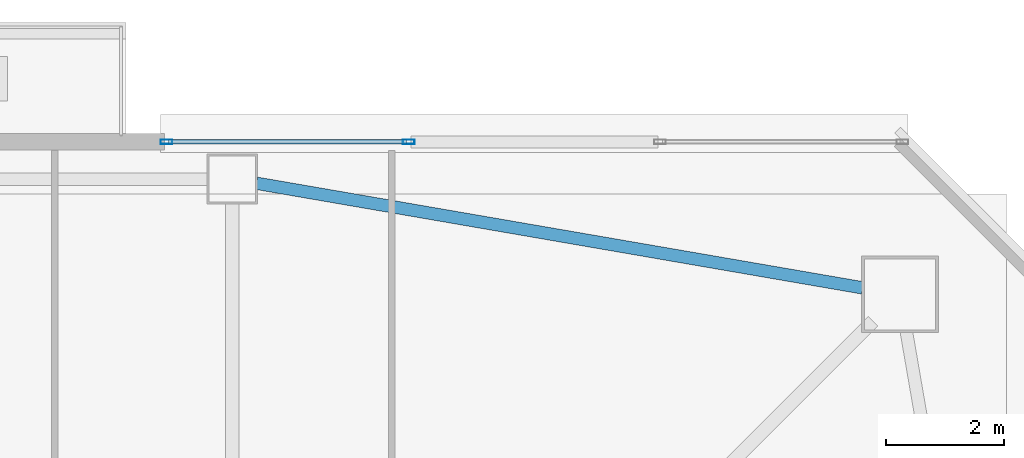
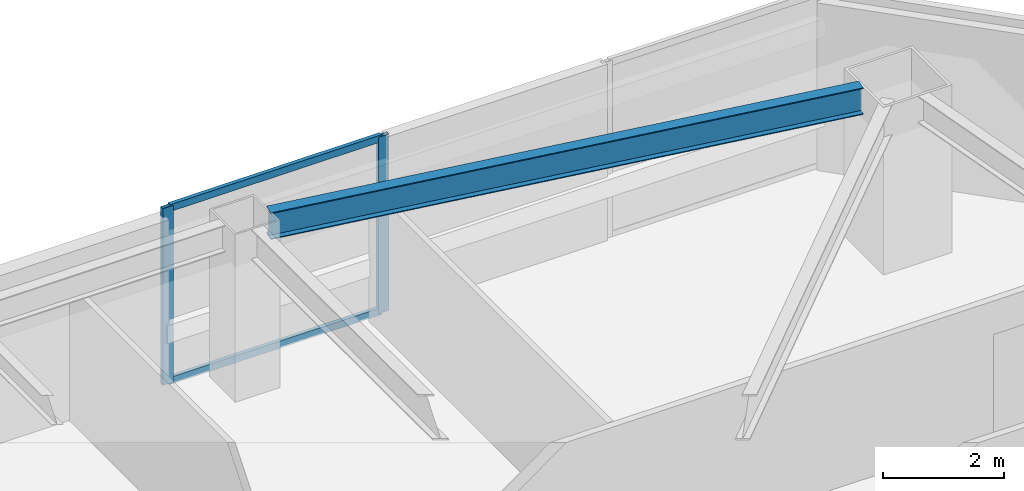
# One storey, part 17 of 46: 4 members, 1 beam, 1 element without a shape of its own.
"""IFC4 building model written with IfcOpenShell, lengths in metres."""

from ifc_helpers import new_model, si_unit, direction, frame, origin, origin_2d, place, context, subcontext, project, spatial, hollow_rectangle, i_section, extrude, material, material_profile, profile_set, type_object, element, aggregate, save


model = new_model("IFC4")

# Units and contexts
model_context = context("Model", 3, precision=1e-05, world=origin(), true_north=direction((0.0, 1.0)))
body_context = subcontext(model_context, "Body", "Model", "MODEL_VIEW")
ifc_project = project(units=[si_unit("LENGTHUNIT", "METRE"), si_unit("AREAUNIT", "SQUARE_METRE"), si_unit("VOLUMEUNIT", "CUBIC_METRE"), si_unit("PLANEANGLEUNIT", "RADIAN"), si_unit("MASSUNIT", "GRAM", prefix="KILO")], contexts=[model_context])

# Site, building, storey
site_placement = place(None, origin())
site = spatial("IfcSite", under=ifc_project, at=site_placement, CompositionType="ELEMENT")
building_placement = place(site_placement, origin())
building = spatial("IfcBuilding", under=site, at=building_placement, Name="Tashvorn Skyway Center", CompositionType="ELEMENT")
storey_placement = place(building_placement, frame((0.0, 0.0, 139.25)))
storey = spatial("IfcBuildingStorey", under=building, at=storey_placement, Name="L37", CompositionType="ELEMENT", Elevation=139.25)

# Beam
ifc_material_1 = material(Name="Steel ASTM A992 Grade 50", Category="steel")
ifc_material_profile_1 = material_profile(ifc_material_1, i_section(OverallWidth=0.2109375, OverallDepth=0.5390625, WebThickness=0.01171875, FlangeThickness=0.018798828125, at=origin_2d()), Name="W21X73")
ifc_profile_set_1 = profile_set([ifc_material_profile_1], Name="Steel ASTM A992 Grade 50")
beam_type = type_object("IfcBeamType", Name="BM-SPANDREL-W21X73", PredefinedType="SPANDREL", material=ifc_profile_set_1)
beam_placement = place(storey_placement, frame((58.064453125, 48.8095703125, 3.1005859375), z_axis=(-0.985432458462, 0.170067250846, 0.0), x_axis=(-0.170067250846, -0.985432458462, 0.0)))
element("IfcBeam", 1, at=beam_placement, inside=storey, type_object=beam_type, Name="Tower 1 L37 Spandrel Beam 07", PredefinedType="SPANDREL", context=body_context, shape_type="SweptSolid", body=[
    extrude(i_section(OverallWidth=0.2109375, OverallDepth=0.5390625, WebThickness=0.01171875, FlangeThickness=0.018798828125, at=origin_2d()), origin(), (0.0, 0.0, 1.0), 10.402099609375),
])

# Curtain wall, members
ifc_material_2 = material(Name="Thermally broken bronze-anodized aluminium 6063-T6", Category="aluminium")
curtain_wall_type = type_object("IfcCurtainWallType", Name="CW-CW-Z3", PredefinedType="NOTDEFINED", material=ifc_material_2)
curtain_wall_placement = place(storey_placement, origin())
curtain_wall = element("IfcCurtainWall", 2, at=curtain_wall_placement, inside=storey, type_object=curtain_wall_type, Name="Tower 1 L37 North Curtain Wall R Glazing Group 1", PredefinedType="NOTDEFINED")
ifc_material_profile_2 = material_profile(ifc_material_2, hollow_rectangle(XDim=0.074951171875, YDim=0.199951171875, WallThickness=0.00439453125, at=origin_2d()), Name="ALU-MULL-75x200")
ifc_profile_set_2 = profile_set([ifc_material_profile_2], Name="Thermally broken bronze-anodized aluminium 6063-T6")
member_type_1 = type_object("IfcMemberType", Name="CWM-CW-Z3", PredefinedType="MULLION", material=ifc_profile_set_2)
member_1_placement = place(storey_placement, frame((46.28759765625, 51.280029296875, 0.0), z_axis=(0.0, 0.0, 1.0), x_axis=(0.0, 1.0, 0.0)))
member_1 = element("IfcMember", 3, at=member_1_placement, type_object=member_type_1, Name="CW-Z3 mullion 1", PredefinedType="MULLION", context=body_context, shape_type="SweptSolid", body=[
    extrude(hollow_rectangle(XDim=0.074951171875, YDim=0.199951171875, WallThickness=0.00439453125, at=origin_2d()), origin(), (0.0, 0.0, 1.0), 3.550048828125),
])
member_2_placement = place(storey_placement, frame((50.38916015625, 51.280029296875, 0.0), z_axis=(0.0, 0.0, 1.0), x_axis=(0.0, 1.0, 0.0)))
member_2 = element("IfcMember", 4, at=member_2_placement, type_object=member_type_1, Name="CW-Z3 mullion 2", PredefinedType="MULLION", context=body_context, shape_type="SweptSolid", body=[
    extrude(hollow_rectangle(XDim=0.074951171875, YDim=0.199951171875, WallThickness=0.00439453125, at=origin_2d()), origin(), (0.0, 0.0, 1.0), 3.550048828125),
])
ifc_material_profile_3 = material_profile(ifc_material_2, hollow_rectangle(XDim=0.074951171875, YDim=0.139892578125, WallThickness=0.004150390625, at=origin_2d()), Name="ALU-TRAN-75x140")
ifc_profile_set_3 = profile_set([ifc_material_profile_3], Name="Thermally broken bronze-anodized aluminium 6063-T6")
member_type_2 = type_object("IfcMemberType", Name="CWT-CW-Z3", PredefinedType="USERDEFINED", material=ifc_profile_set_3)
member_3_placement = place(storey_placement, frame((46.324951171875, 51.280029296875, 0.03759765625), z_axis=(1.0, 0.0, 0.0), x_axis=(0.0, 1.0, 0.0)))
member_3 = element("IfcMember", 5, at=member_3_placement, type_object=member_type_2, Name="CW-Z3 transom 1.1", ObjectType="TRANSOM", PredefinedType="USERDEFINED", context=body_context, shape_type="SweptSolid", body=[
    extrude(hollow_rectangle(XDim=0.074951171875, YDim=0.139892578125, WallThickness=0.004150390625, at=origin_2d()), origin(), (0.0, 0.0, 1.0), 4.02685546875),
])
member_4_placement = place(storey_placement, frame((46.324951171875, 51.280029296875, 3.512451171875), z_axis=(1.0, 0.0, 0.0), x_axis=(0.0, 1.0, 0.0)))
member_4 = element("IfcMember", 6, at=member_4_placement, type_object=member_type_2, Name="CW-Z3 transom 1.2", ObjectType="TRANSOM", PredefinedType="USERDEFINED", context=body_context, shape_type="SweptSolid", body=[
    extrude(hollow_rectangle(XDim=0.074951171875, YDim=0.139892578125, WallThickness=0.004150390625, at=origin_2d()), origin(), (0.0, 0.0, 1.0), 4.02685546875),
])
aggregate(curtain_wall, [member_1, member_2, member_3, member_4])

save(model, "model.ifc")
